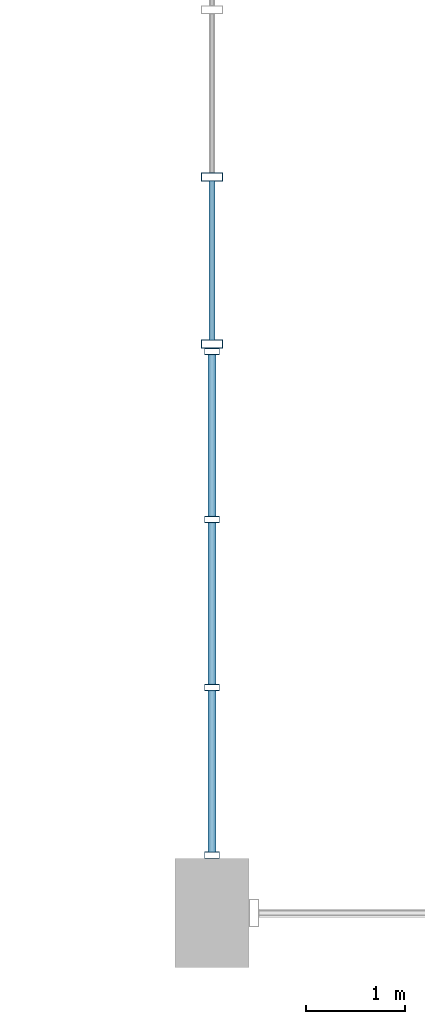
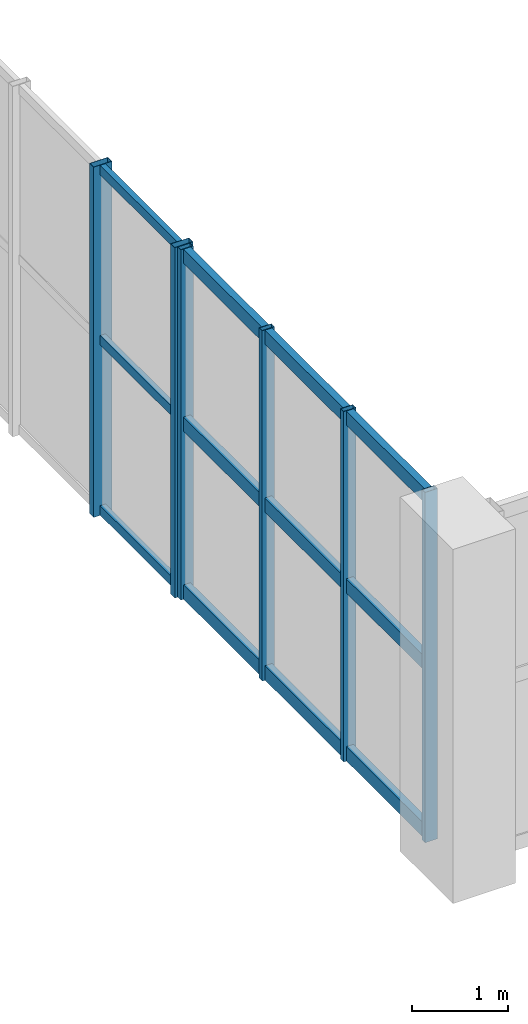
# One storey, part 18 of 80: 18 members, 2 elements without a shape of their own.
"""IFC4 building model written with IfcOpenShell, lengths in metres."""

from ifc_helpers import new_model, si_unit, direction, frame, origin, origin_2d, place, context, subcontext, project, spatial, hollow_rectangle, extrude, material, layer, layer_set, material_profile, profile_set, type_object, element, aggregate, save


model = new_model("IFC4")

# Units and contexts
model_context = context("Model", 3, precision=1e-05, world=origin(), true_north=direction((0.0, 1.0)))
body_context = subcontext(model_context, "Body", "Model", "MODEL_VIEW")
ifc_project = project(units=[si_unit("LENGTHUNIT", "METRE"), si_unit("AREAUNIT", "SQUARE_METRE"), si_unit("VOLUMEUNIT", "CUBIC_METRE"), si_unit("PLANEANGLEUNIT", "RADIAN"), si_unit("MASSUNIT", "GRAM", prefix="KILO"), si_unit("POWERUNIT", "WATT"), si_unit("THERMODYNAMICTEMPERATUREUNIT", "KELVIN")], contexts=[model_context])

# Site, building, storey
site_placement = place(None, origin())
site = spatial("IfcSite", under=ifc_project, at=site_placement, CompositionType="ELEMENT")
building_placement = place(site_placement, origin())
building = spatial("IfcBuilding", under=site, at=building_placement, Name="Kelmbourne Parkland Aquatics Centre", CompositionType="ELEMENT")
storey_placement = place(building_placement, frame((0.0, 0.0, 10.199951171875)))
storey = spatial("IfcBuildingStorey", under=building, at=storey_placement, Name="L02", CompositionType="ELEMENT", Elevation=10.199951171875)

# Curtain wall, members
ifc_material = material(Name="Thermally broken anodised aluminium framing", Category="aluminium")
ifc_layer_1 = layer(ifc_material, 0.179931640625)
ifc_layer_set_1 = layer_set([ifc_layer_1], Name="Thermally broken anodised aluminium framing")
curtain_wall_type_1 = type_object("IfcCurtainWallType", Name="CW-05", PredefinedType="NOTDEFINED", material=ifc_layer_set_1)
curtain_wall_1_placement = place(storey_placement, origin())
curtain_wall_1 = element("IfcCurtainWall", 1, at=curtain_wall_1_placement, inside=storey, type_object=curtain_wall_type_1, Name="Wave-hall clerestory curtain wall CW-L02-005", PredefinedType="NOTDEFINED")
ifc_material_profile_1 = material_profile(ifc_material, hollow_rectangle(XDim=0.06494140625, YDim=0.14990234375, WallThickness=0.00390625, at=origin_2d()), Name="CW-M 65x150")
ifc_profile_set_1 = profile_set([ifc_material_profile_1], Name="Thermally broken anodised aluminium framing")
member_type_1 = type_object("IfcMemberType", Name="MB-MUL-1", PredefinedType="MULLION", material=ifc_profile_set_1)
member_1_placement = place(storey_placement, frame((128.0, 1.384521484375, 0.0), z_axis=(0.0, 0.0, 1.0), x_axis=(0.0, 1.0, 0.0)))
member_1 = element("IfcMember", 2, at=member_1_placement, type_object=member_type_1, Name="CW-L02-005 mullion 0", PredefinedType="MULLION", context=body_context, shape_type="SweptSolid", body=[
    extrude(hollow_rectangle(XDim=0.06494140625, YDim=0.14990234375, WallThickness=0.00390625, at=origin_2d()), origin(), (0.0, 0.0, 1.0), 4.449951171875),
])
member_2_placement = place(storey_placement, frame((128.0, 3.078857421875, 0.0), z_axis=(0.0, 0.0, 1.0), x_axis=(0.0, 1.0, 0.0)))
member_2 = element("IfcMember", 3, at=member_2_placement, type_object=member_type_1, Name="CW-L02-005 mullion 1", PredefinedType="MULLION", context=body_context, shape_type="SweptSolid", body=[
    extrude(hollow_rectangle(XDim=0.06494140625, YDim=0.14990234375, WallThickness=0.00390625, at=origin_2d()), origin(), (0.0, 0.0, 1.0), 4.449951171875),
])
member_3_placement = place(storey_placement, frame((128.0, 4.773193359375, 0.0), z_axis=(0.0, 0.0, 1.0), x_axis=(0.0, 1.0, 0.0)))
member_3 = element("IfcMember", 4, at=member_3_placement, type_object=member_type_1, Name="CW-L02-005 mullion 2", PredefinedType="MULLION", context=body_context, shape_type="SweptSolid", body=[
    extrude(hollow_rectangle(XDim=0.06494140625, YDim=0.14990234375, WallThickness=0.00390625, at=origin_2d()), origin(), (0.0, 0.0, 1.0), 4.449951171875),
])
member_4_placement = place(storey_placement, frame((128.0, 6.467529296875, 0.0), z_axis=(0.0, 0.0, 1.0), x_axis=(0.0, 1.0, 0.0)))
member_4 = element("IfcMember", 5, at=member_4_placement, type_object=member_type_1, Name="CW-L02-005 mullion 3", PredefinedType="MULLION", context=body_context, shape_type="SweptSolid", body=[
    extrude(hollow_rectangle(XDim=0.06494140625, YDim=0.14990234375, WallThickness=0.00390625, at=origin_2d()), origin(), (0.0, 0.0, 1.0), 4.449951171875),
])

ifc_layer_2 = layer(ifc_material, 0.179931640625)
ifc_layer_set_2 = layer_set([ifc_layer_2], Name="Thermally broken anodised aluminium framing")
curtain_wall_type_2 = type_object("IfcCurtainWallType", Name="CW-12", PredefinedType="NOTDEFINED", material=ifc_layer_set_2)
curtain_wall_2_placement = place(storey_placement, origin())
curtain_wall_2 = element("IfcCurtainWall", 6, at=curtain_wall_2_placement, inside=storey, type_object=curtain_wall_type_2, Name="Wave-hall clerestory curtain wall CW-L02-012", PredefinedType="NOTDEFINED")
ifc_material_profile_2 = material_profile(ifc_material, hollow_rectangle(XDim=0.0849609375, YDim=0.219970703125, WallThickness=0.0048828125, at=origin_2d()), Name="CW-M 85x220")
ifc_profile_set_2 = profile_set([ifc_material_profile_2], Name="Thermally broken anodised aluminium framing")
member_type_2 = type_object("IfcMemberType", Name="MB-MUL-3", PredefinedType="MULLION", material=ifc_profile_set_2)
member_5_placement = place(storey_placement, frame((128.0, 6.54248046875, 0.0), z_axis=(0.0, 0.0, 1.0), x_axis=(0.0, 1.0, 0.0)))
member_5 = element("IfcMember", 7, at=member_5_placement, type_object=member_type_2, Name="CW-L02-012 mullion 0", PredefinedType="MULLION", context=body_context, shape_type="SweptSolid", body=[
    extrude(hollow_rectangle(XDim=0.0849609375, YDim=0.219970703125, WallThickness=0.0048828125, at=origin_2d()), origin(), (0.0, 0.0, 1.0), 4.449951171875),
])
member_6_placement = place(storey_placement, frame((128.0, 8.230224609375, 0.0), z_axis=(0.0, 0.0, 1.0), x_axis=(0.0, 1.0, 0.0)))
member_6 = element("IfcMember", 8, at=member_6_placement, type_object=member_type_2, Name="CW-L02-012 mullion 1", PredefinedType="MULLION", context=body_context, shape_type="SweptSolid", body=[
    extrude(hollow_rectangle(XDim=0.0849609375, YDim=0.219970703125, WallThickness=0.0048828125, at=origin_2d()), origin(), (0.0, 0.0, 1.0), 4.449951171875),
])
ifc_material_profile_3 = material_profile(ifc_material, hollow_rectangle(XDim=0.06494140625, YDim=0.1201171875, WallThickness=0.00341796875, at=origin_2d()), Name="CW-T 65x120")
ifc_profile_set_3 = profile_set([ifc_material_profile_3], Name="Thermally broken anodised aluminium framing")
member_type_3 = type_object("IfcMemberType", Name="MB-TRN-1", PredefinedType="USERDEFINED", material=ifc_profile_set_3)
member_7_placement = place(storey_placement, frame((128.0, 6.5810546875, 0.06298828125), z_axis=(0.0, 1.0, 0.0), x_axis=(-1.0, 0.0, 0.0)))
member_7 = element("IfcMember", 9, at=member_7_placement, type_object=member_type_3, Name="CW-L02-012 transom 0-0", ObjectType="TRANSOM", PredefinedType="USERDEFINED", context=body_context, shape_type="SweptSolid", body=[
    extrude(hollow_rectangle(XDim=0.06494140625, YDim=0.1201171875, WallThickness=0.00341796875, at=origin_2d()), origin(), (0.0, 0.0, 1.0), 1.610595703125),
])
member_8_placement = place(storey_placement, frame((128.0, 6.5810546875, 2.22509765625), z_axis=(0.0, 1.0, 0.0), x_axis=(-1.0, 0.0, 0.0)))
member_8 = element("IfcMember", 10, at=member_8_placement, type_object=member_type_3, Name="CW-L02-012 transom 1-0", ObjectType="TRANSOM", PredefinedType="USERDEFINED", context=body_context, shape_type="SweptSolid", body=[
    extrude(hollow_rectangle(XDim=0.06494140625, YDim=0.1201171875, WallThickness=0.00341796875, at=origin_2d()), origin(), (0.0, 0.0, 1.0), 1.610595703125),
])
member_9_placement = place(storey_placement, frame((128.0, 6.5810546875, 4.386962890625), z_axis=(0.0, 1.0, 0.0), x_axis=(-1.0, 0.0, 0.0)))
member_9 = element("IfcMember", 11, at=member_9_placement, type_object=member_type_3, Name="CW-L02-012 transom 2-0", ObjectType="TRANSOM", PredefinedType="USERDEFINED", context=body_context, shape_type="SweptSolid", body=[
    extrude(hollow_rectangle(XDim=0.06494140625, YDim=0.1201171875, WallThickness=0.00341796875, at=origin_2d()), origin(), (0.0, 0.0, 1.0), 1.610595703125),
])
aggregate(curtain_wall_2, [member_5, member_6, member_7, member_8, member_9])

# Member
ifc_material_profile_4 = material_profile(ifc_material, hollow_rectangle(XDim=0.0849609375, YDim=0.179931640625, WallThickness=0.00439453125, at=origin_2d()), Name="CW-T 85x180")
ifc_profile_set_4 = profile_set([ifc_material_profile_4], Name="Thermally broken anodised aluminium framing")
member_type_4 = type_object("IfcMemberType", Name="MB-TRN-3", PredefinedType="USERDEFINED", material=ifc_profile_set_4)
member_10_placement = place(storey_placement, frame((128.0, 1.4130859375, 0.093017578125), z_axis=(0.0, 1.0, 0.0), x_axis=(-1.0, 0.0, 0.0)))
member_10 = element("IfcMember", 12, at=member_10_placement, type_object=member_type_4, Name="CW-L02-005 transom 0-0", ObjectType="TRANSOM", PredefinedType="USERDEFINED", context=body_context, shape_type="SweptSolid", body=[
    extrude(hollow_rectangle(XDim=0.0849609375, YDim=0.179931640625, WallThickness=0.00439453125, at=origin_2d()), origin(), (0.0, 0.0, 1.0), 1.63720703125),
])

member_11_placement = place(storey_placement, frame((128.0, 3.107421875, 0.093017578125), z_axis=(0.0, 1.0, 0.0), x_axis=(-1.0, 0.0, 0.0)))
member_11 = element("IfcMember", 13, at=member_11_placement, type_object=member_type_4, Name="CW-L02-005 transom 0-1", ObjectType="TRANSOM", PredefinedType="USERDEFINED", context=body_context, shape_type="SweptSolid", body=[
    extrude(hollow_rectangle(XDim=0.0849609375, YDim=0.179931640625, WallThickness=0.00439453125, at=origin_2d()), origin(), (0.0, 0.0, 1.0), 1.63720703125),
])

member_12_placement = place(storey_placement, frame((128.0, 4.8017578125, 0.093017578125), z_axis=(0.0, 1.0, 0.0), x_axis=(-1.0, 0.0, 0.0)))
member_12 = element("IfcMember", 14, at=member_12_placement, type_object=member_type_4, Name="CW-L02-005 transom 0-2", ObjectType="TRANSOM", PredefinedType="USERDEFINED", context=body_context, shape_type="SweptSolid", body=[
    extrude(hollow_rectangle(XDim=0.0849609375, YDim=0.179931640625, WallThickness=0.00439453125, at=origin_2d()), origin(), (0.0, 0.0, 1.0), 1.63720703125),
])

member_13_placement = place(storey_placement, frame((128.0, 1.4130859375, 2.22509765625), z_axis=(0.0, 1.0, 0.0), x_axis=(-1.0, 0.0, 0.0)))
member_13 = element("IfcMember", 15, at=member_13_placement, type_object=member_type_4, Name="CW-L02-005 transom 1-0", ObjectType="TRANSOM", PredefinedType="USERDEFINED", context=body_context, shape_type="SweptSolid", body=[
    extrude(hollow_rectangle(XDim=0.0849609375, YDim=0.179931640625, WallThickness=0.00439453125, at=origin_2d()), origin(), (0.0, 0.0, 1.0), 1.63720703125),
])

member_14_placement = place(storey_placement, frame((128.0, 3.107421875, 2.22509765625), z_axis=(0.0, 1.0, 0.0), x_axis=(-1.0, 0.0, 0.0)))
member_14 = element("IfcMember", 16, at=member_14_placement, type_object=member_type_4, Name="CW-L02-005 transom 1-1", ObjectType="TRANSOM", PredefinedType="USERDEFINED", context=body_context, shape_type="SweptSolid", body=[
    extrude(hollow_rectangle(XDim=0.0849609375, YDim=0.179931640625, WallThickness=0.00439453125, at=origin_2d()), origin(), (0.0, 0.0, 1.0), 1.63720703125),
])

member_15_placement = place(storey_placement, frame((128.0, 4.8017578125, 2.22509765625), z_axis=(0.0, 1.0, 0.0), x_axis=(-1.0, 0.0, 0.0)))
member_15 = element("IfcMember", 17, at=member_15_placement, type_object=member_type_4, Name="CW-L02-005 transom 1-2", ObjectType="TRANSOM", PredefinedType="USERDEFINED", context=body_context, shape_type="SweptSolid", body=[
    extrude(hollow_rectangle(XDim=0.0849609375, YDim=0.179931640625, WallThickness=0.00439453125, at=origin_2d()), origin(), (0.0, 0.0, 1.0), 1.63720703125),
])

member_16_placement = place(storey_placement, frame((128.0, 1.4130859375, 4.35693359375), z_axis=(0.0, 1.0, 0.0), x_axis=(-1.0, 0.0, 0.0)))
member_16 = element("IfcMember", 18, at=member_16_placement, type_object=member_type_4, Name="CW-L02-005 transom 2-0", ObjectType="TRANSOM", PredefinedType="USERDEFINED", context=body_context, shape_type="SweptSolid", body=[
    extrude(hollow_rectangle(XDim=0.0849609375, YDim=0.179931640625, WallThickness=0.00439453125, at=origin_2d()), origin(), (0.0, 0.0, 1.0), 1.63720703125),
])

member_17_placement = place(storey_placement, frame((128.0, 3.107421875, 4.35693359375), z_axis=(0.0, 1.0, 0.0), x_axis=(-1.0, 0.0, 0.0)))
member_17 = element("IfcMember", 19, at=member_17_placement, type_object=member_type_4, Name="CW-L02-005 transom 2-1", ObjectType="TRANSOM", PredefinedType="USERDEFINED", context=body_context, shape_type="SweptSolid", body=[
    extrude(hollow_rectangle(XDim=0.0849609375, YDim=0.179931640625, WallThickness=0.00439453125, at=origin_2d()), origin(), (0.0, 0.0, 1.0), 1.63720703125),
])

member_18_placement = place(storey_placement, frame((128.0, 4.8017578125, 4.35693359375), z_axis=(0.0, 1.0, 0.0), x_axis=(-1.0, 0.0, 0.0)))
member_18 = element("IfcMember", 20, at=member_18_placement, type_object=member_type_4, Name="CW-L02-005 transom 2-2", ObjectType="TRANSOM", PredefinedType="USERDEFINED", context=body_context, shape_type="SweptSolid", body=[
    extrude(hollow_rectangle(XDim=0.0849609375, YDim=0.179931640625, WallThickness=0.00439453125, at=origin_2d()), origin(), (0.0, 0.0, 1.0), 1.63720703125),
])

aggregate(curtain_wall_1, [member_1, member_2, member_3, member_4, member_10, member_11, member_12, member_13, member_14, member_15, member_16, member_17, member_18])

save(model, "model.ifc")
